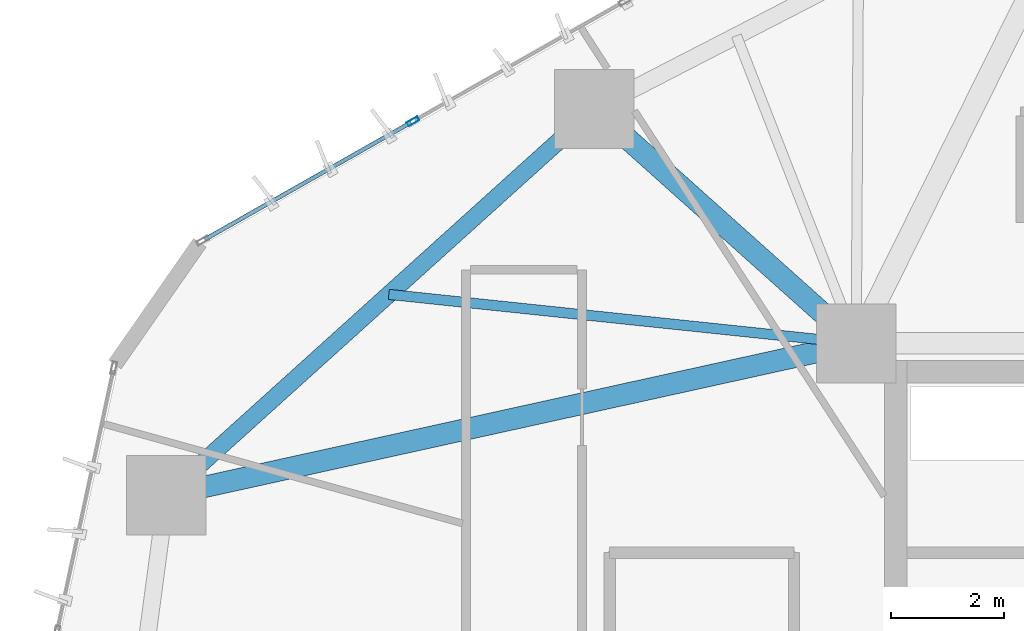
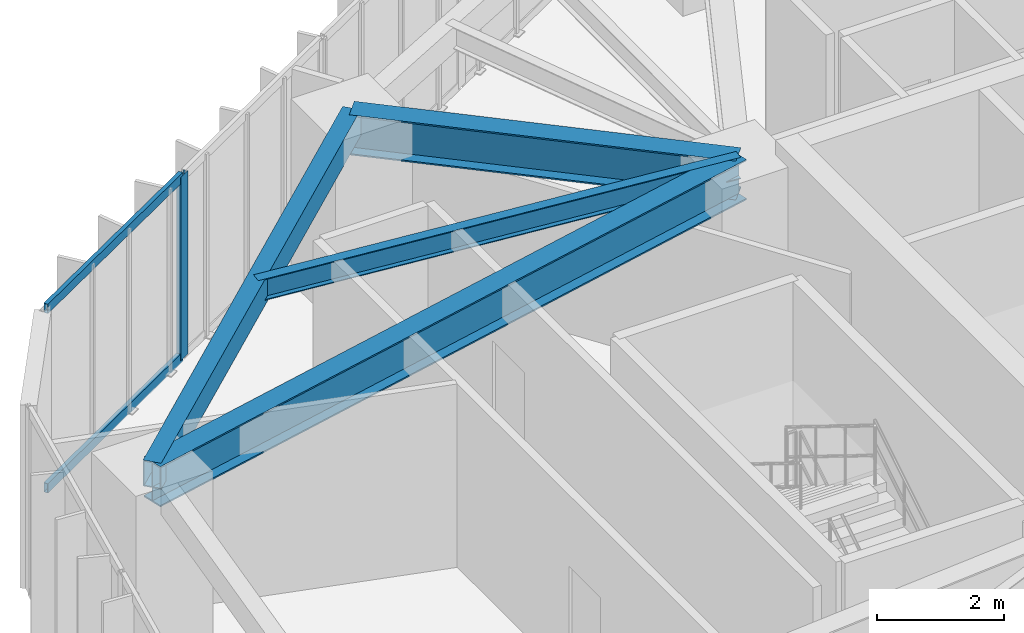
# One storey, part 7 of 23: 4 beams, 3 members, 1 element without a shape of its own.
"""IFC4 building model written with IfcOpenShell, lengths in metres."""

from ifc_helpers import new_model, si_unit, direction, frame, origin, origin_2d, place, context, subcontext, project, spatial, hollow_rectangle, i_section, extrude, source, transform, mapped, material, layer, layer_set, material_profile, profile_set, type_object, type_shapes, element, aggregate, save


model = new_model("IFC4")

# Units and contexts
model_context = context("Model", 3, precision=1e-05, world=origin(), true_north=direction((0.0, 1.0)))
body_context = subcontext(model_context, "Body", "Model", "MODEL_VIEW")
ifc_project = project(units=[si_unit("LENGTHUNIT", "METRE"), si_unit("AREAUNIT", "SQUARE_METRE"), si_unit("VOLUMEUNIT", "CUBIC_METRE"), si_unit("PLANEANGLEUNIT", "RADIAN"), si_unit("MASSUNIT", "GRAM", prefix="KILO")], contexts=[model_context])

# Site, building, storey
site_placement = place(None, origin())
site = spatial("IfcSite", under=ifc_project, at=site_placement, CompositionType="ELEMENT")
building_placement = place(site_placement, origin())
building = spatial("IfcBuilding", under=site, at=building_placement, Name="Talar Marvaseh", CompositionType="ELEMENT")
storey_placement = place(building_placement, frame((0.0, 0.0, 46.800048828125)))
storey = spatial("IfcBuildingStorey", under=building, at=storey_placement, Name="L11", CompositionType="ELEMENT", Elevation=46.800048828125)

# Beams
ifc_material_1 = material(Name="Steel S355", Category="steel")
ifc_material_profile_1 = material_profile(ifc_material_1, hollow_rectangle(XDim=0.300048828125, YDim=0.5, WallThickness=0.02001953125, at=origin_2d()), Name="RHS500x300x20")
ifc_profile_set_1 = profile_set([ifc_material_profile_1], Name="Steel S355")
beam_type_1 = type_object("IfcBeamType", Name="Zone 1 Perimeter Spandrel Beam RHS500x300x20", PredefinedType="SPANDREL", material=ifc_profile_set_1)
beam_1_placement = place(storey_placement, frame((6.501953125, 34.214111328125, 3.27001953125), z_axis=(0.742394279812, 0.669963232799, 0.0), x_axis=(-0.669963232799, 0.742394279812, 0.0)))
element("IfcBeam", 1, at=beam_1_placement, inside=storey, type_object=beam_type_1, Name="L11 Zone 1 Perimeter Spandrel Beam RHS500x300x20", PredefinedType="SPANDREL", context=body_context, shape_type="SweptSolid", body=[
    extrude(hollow_rectangle(XDim=0.300048828125, YDim=0.5, WallThickness=0.02001953125, at=origin_2d()), origin(), (0.0, 0.0, 1.0), 10.19287109375),
])
ifc_material_profile_2 = material_profile(ifc_material_1, i_section(OverallWidth=0.381103515625, OverallDepth=0.77294921875, WebThickness=0.0166015625, FlangeThickness=0.027099609375, at=origin_2d()), Name="W760x257")
ifc_profile_set_2 = profile_set([ifc_material_profile_2], Name="Steel S355")
beam_type_2 = type_object("IfcBeamType", Name="Zone 1 Radial Floor Girder W760x257", PredefinedType="BEAM", material=ifc_profile_set_2)
beam_2_placement = place(storey_placement, frame((6.501953125, 34.214111328125, 3.133544921875), z_axis=(0.976606962034, 0.215032187606, 0.0), x_axis=(-0.215032187606, 0.976606962034, 0.0)))
element("IfcBeam", 2, at=beam_2_placement, inside=storey, type_object=beam_type_2, Name="L11 Zone 1 Radial Floor Girder W760x257", PredefinedType="BEAM", context=body_context, shape_type="SweptSolid", body=[
    extrude(i_section(OverallWidth=0.381103515625, OverallDepth=0.77294921875, WebThickness=0.0166015625, FlangeThickness=0.027099609375, at=origin_2d()), origin(), (0.0, 0.0, 1.0), 12.490234375),
])
beam_3_placement = place(storey_placement, frame((14.069091796875, 41.04296875, 3.133544921875), z_axis=(0.745268030676, -0.666764997921, 0.0), x_axis=(0.666764997921, 0.745268030676, 0.0)))
element("IfcBeam", 3, at=beam_3_placement, inside=storey, type_object=beam_type_2, Name="L11 Zone 1 Radial Floor Girder W760x257", PredefinedType="BEAM", context=body_context, shape_type="SweptSolid", body=[
    extrude(i_section(OverallWidth=0.381103515625, OverallDepth=0.77294921875, WebThickness=0.0166015625, FlangeThickness=0.027099609375, at=origin_2d()), origin(), (0.0, 0.0, 1.0), 6.213623046875),
])
ifc_material_profile_3 = material_profile(ifc_material_1, i_section(OverallWidth=0.179931640625, OverallDepth=0.4130859375, WebThickness=0.009765625, FlangeThickness=0.01611328125, at=origin_2d()), Name="W410x75")
ifc_profile_set_3 = profile_set([ifc_material_profile_3], Name="Steel S355")
beam_type_3 = type_object("IfcBeamType", Name="Zone 1 Secondary Floor Joist W410x75", PredefinedType="JOIST", material=ifc_profile_set_3)
beam_4_placement = place(storey_placement, frame((10.436767578125, 37.76513671875, 3.3134765625), z_axis=(0.994562624593, -0.104140221638, 0.0), x_axis=(0.104140221638, 0.994562624593, 0.0)))
element("IfcBeam", 4, at=beam_4_placement, inside=storey, type_object=beam_type_3, Name="L11 Zone 1 Secondary Floor Joist W410x75", PredefinedType="JOIST", context=body_context, shape_type="SweptSolid", body=[
    extrude(i_section(OverallWidth=0.179931640625, OverallDepth=0.4130859375, WebThickness=0.009765625, FlangeThickness=0.01611328125, at=origin_2d()), origin(), (0.0, 0.0, 1.0), 8.308349609375),
])

# Curtain wall, members
ifc_material_2 = material(Name="Architectural Aluminium", Category="aluminium")
ifc_layer = layer(ifc_material_2, 0.219970703125)
ifc_layer_set = layer_set([ifc_layer], Name="Architectural Aluminium")
curtain_wall_type = type_object("IfcCurtainWallType", Name="Unitised Low-E Museum Curtain Wall Z1", PredefinedType="NOTDEFINED", material=ifc_layer_set)
curtain_wall_placement = place(storey_placement, origin())
curtain_wall = element("IfcCurtainWall", 5, at=curtain_wall_placement, inside=storey, type_object=curtain_wall_type, Name="L11 Unitised Low-E Museum Curtain Wall Z1", PredefinedType="NOTDEFINED")
ifc_material_profile_4 = material_profile(ifc_material_2, hollow_rectangle(XDim=0.080078125, YDim=0.219970703125, WallThickness=0.0048828125, at=origin_2d()), Name="RHS220x80x5")
ifc_profile_set_4 = profile_set([ifc_material_profile_4], Name="Architectural Aluminium")
member_type_1 = type_object("IfcMemberType", Name="Unitised Curtain Wall Heavy Mullion RHS220x80x5", PredefinedType="MULLION", material=ifc_profile_set_4)
shared_shape_1 = source(origin(), body_context, "Body", "SweptSolid", [
    extrude(hollow_rectangle(XDim=0.080078125, YDim=0.219970703125, WallThickness=0.0048828125, at=origin_2d()), origin(), (0.0, 0.0, 1.0), 3.52001953125),
])
type_shapes(member_type_1, [shared_shape_1])
member_1_placement = place(storey_placement, frame((10.86279296875, 40.82373046875, 0.0), z_axis=(0.0, 0.0, 1.0), x_axis=(-0.493456056896, 0.869770728361, 0.0)))
member_1 = element("IfcMember", 6, at=member_1_placement, type_object=member_type_1, Name="CW-Z1 mullion 2", PredefinedType="MULLION", context=body_context, shape_type="MappedRepresentation", body=[
    mapped(shared_shape_1, transform((0.0, 0.0, 0.0), x_axis=(1.0, 0.0, 0.0), y_axis=(0.0, 1.0, 0.0), z_axis=(0.0, 0.0, 1.0), scale=1.0)),
])
ifc_material_profile_5 = material_profile(ifc_material_2, hollow_rectangle(XDim=0.074951171875, YDim=0.179931640625, WallThickness=0.0048828125, at=origin_2d()), Name="RHS180x75x5")
ifc_profile_set_5 = profile_set([ifc_material_profile_5], Name="Architectural Aluminium")
member_type_2 = type_object("IfcMemberType", Name="Unitised Curtain Wall Transom RHS180x75x5", PredefinedType="USERDEFINED", material=ifc_profile_set_5)
shared_shape_2 = source(origin(), body_context, "Body", "SweptSolid", [
    extrude(hollow_rectangle(XDim=0.074951171875, YDim=0.179931640625, WallThickness=0.0048828125, at=origin_2d()), origin(), (0.0, 0.0, 1.0), 4.19189453125),
])
type_shapes(member_type_2, [shared_shape_2])
member_2_placement = place(storey_placement, frame((7.18212890625, 38.735595703125, 0.037353515625), z_axis=(0.869762260902, 0.493470981427, 0.0), x_axis=(-0.493470981427, 0.869762260902, 0.0)))
member_2 = element("IfcMember", 7, at=member_2_placement, type_object=member_type_2, Name="CW-Z1 transom 1.1", ObjectType="TRANSOM", PredefinedType="USERDEFINED", context=body_context, shape_type="MappedRepresentation", body=[
    mapped(shared_shape_2, transform((0.0, 0.0, 0.0), x_axis=(1.0, 0.0, 0.0), y_axis=(0.0, 1.0, 0.0), z_axis=(0.0, 0.0, 1.0), scale=1.0)),
])
member_3_placement = place(storey_placement, frame((7.18212890625, 38.735595703125, 3.482421875), z_axis=(0.869762260902, 0.493470981427, 0.0), x_axis=(-0.493470981427, 0.869762260902, 0.0)))
member_3 = element("IfcMember", 8, at=member_3_placement, type_object=member_type_2, Name="CW-Z1 transom 1.2", ObjectType="TRANSOM", PredefinedType="USERDEFINED", context=body_context, shape_type="MappedRepresentation", body=[
    mapped(shared_shape_2, transform((0.0, 0.0, 0.0), x_axis=(1.0, 0.0, 0.0), y_axis=(0.0, 1.0, 0.0), z_axis=(0.0, 0.0, 1.0), scale=1.0)),
])
aggregate(curtain_wall, [member_1, member_2, member_3])

save(model, "model.ifc")
